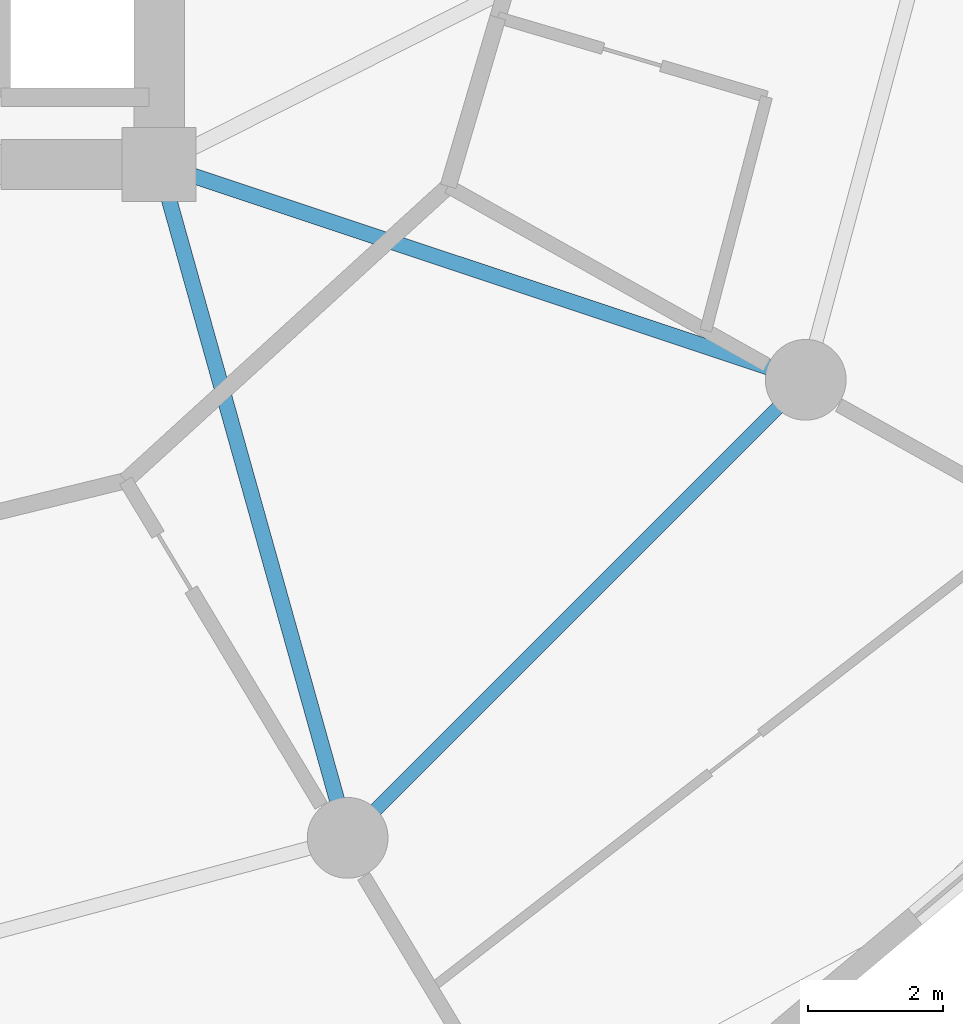
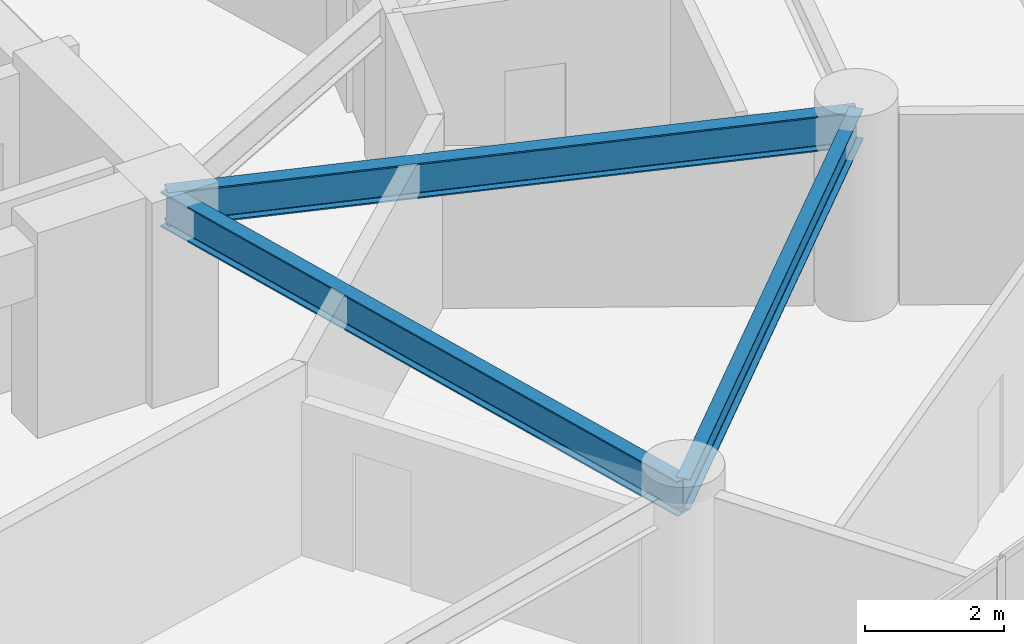
# One storey, part 11 of 26: 3 beams.
"""IFC4 building model written with IfcOpenShell, lengths in metres."""

from ifc_helpers import new_model, si_unit, direction, frame, origin, origin_2d, place, context, subcontext, project, spatial, i_section, extrude, material, material_profile, profile_set, type_object, element, save


model = new_model("IFC4")

# Units and contexts
model_context = context("Model", 3, precision=1e-05, world=origin(), true_north=direction((0.0, 1.0)))
body_context = subcontext(model_context, "Body", "Model", "MODEL_VIEW")
ifc_project = project(units=[si_unit("LENGTHUNIT", "METRE"), si_unit("AREAUNIT", "SQUARE_METRE"), si_unit("VOLUMEUNIT", "CUBIC_METRE"), si_unit("PLANEANGLEUNIT", "RADIAN"), si_unit("MASSUNIT", "GRAM", prefix="KILO")], contexts=[model_context])

# Site, building, storey
site_placement = place(None, origin())
site = spatial("IfcSite", under=ifc_project, at=site_placement, CompositionType="ELEMENT")
building_placement = place(site_placement, origin())
building = spatial("IfcBuilding", under=site, at=building_placement, Name="Solvirekh Grand Hotel", CompositionType="ELEMENT")
storey_placement = place(building_placement, frame((0.0, 0.0, 68.0)))
storey = spatial("IfcBuildingStorey", under=building, at=storey_placement, Name="L16", CompositionType="ELEMENT", Elevation=68.0)

# Beams
ifc_material = material(Name="Steel S355", Category="steel")
ifc_material_profile_1 = material_profile(ifc_material, i_section(OverallWidth=0.22998046875, OverallDepth=0.615966796875, WebThickness=0.013916015625, FlangeThickness=0.02392578125, FilletRadius=0.014892578125, at=origin_2d()), Name="W610X174")
ifc_profile_set_1 = profile_set([ifc_material_profile_1], Name="Steel S355")
beam_type_1 = type_object("IfcBeamType", Name="Beam_Primary_W610H", PredefinedType="BEAM", material=ifc_profile_set_1)
beam_1_placement = place(storey_placement, frame((6.5, -6.10009765625, 3.031982421875), z_axis=(0.269439084681, -0.963017434757, 0.0), x_axis=(0.963017434757, 0.269439084681, 0.0)))
element("IfcBeam", 1, at=beam_1_placement, inside=storey, type_object=beam_type_1, Name="L16 radial floor beam R11", PredefinedType="BEAM", context=body_context, shape_type="SweptSolid", body=[
    extrude(i_section(OverallWidth=0.22998046875, OverallDepth=0.615966796875, WebThickness=0.013916015625, FlangeThickness=0.02392578125, FilletRadius=0.014892578125, at=origin_2d()), origin(), (0.0, 0.0, 1.0), 10.39208984375),
])
beam_2_placement = place(storey_placement, frame((6.5, -6.10009765625, 3.031982421875), z_axis=(0.948762825819, -0.315989082635, 0.0), x_axis=(0.315989082635, 0.948762825819, 0.0)))
element("IfcBeam", 2, at=beam_2_placement, inside=storey, type_object=beam_type_1, Name="L16 radial floor beam R12", PredefinedType="BEAM", context=body_context, shape_type="SweptSolid", body=[
    extrude(i_section(OverallWidth=0.22998046875, OverallDepth=0.615966796875, WebThickness=0.013916015625, FlangeThickness=0.02392578125, FilletRadius=0.014892578125, at=origin_2d()), origin(), (0.0, 0.0, 1.0), 10.126708984375),
])
ifc_material_profile_2 = material_profile(ifc_material, i_section(OverallWidth=0.208984375, OverallDepth=0.532958984375, WebThickness=0.010009765625, FlangeThickness=0.014892578125, FilletRadius=0.013916015625, at=origin_2d()), Name="W530X92")
ifc_profile_set_2 = profile_set([ifc_material_profile_2], Name="Steel S355")
beam_type_2 = type_object("IfcBeamType", Name="Spandrel_Ring_W530", PredefinedType="SPANDREL", material=ifc_profile_set_2)
beam_3_placement = place(storey_placement, frame((9.300048828125, -16.10791015625, 3.073974609375), z_axis=(0.707106781187, 0.707106781187, 0.0), x_axis=(-0.707106781187, 0.707106781187, 0.0)))
element("IfcBeam", 3, at=beam_3_placement, inside=storey, type_object=beam_type_2, Name="L16 perimeter spandrel beam 11", PredefinedType="SPANDREL", context=body_context, shape_type="SweptSolid", body=[
    extrude(i_section(OverallWidth=0.208984375, OverallDepth=0.532958984375, WebThickness=0.010009765625, FlangeThickness=0.014892578125, FilletRadius=0.013916015625, at=origin_2d()), origin(), (0.0, 0.0, 1.0), 9.627685546875),
])

save(model, "model.ifc")
